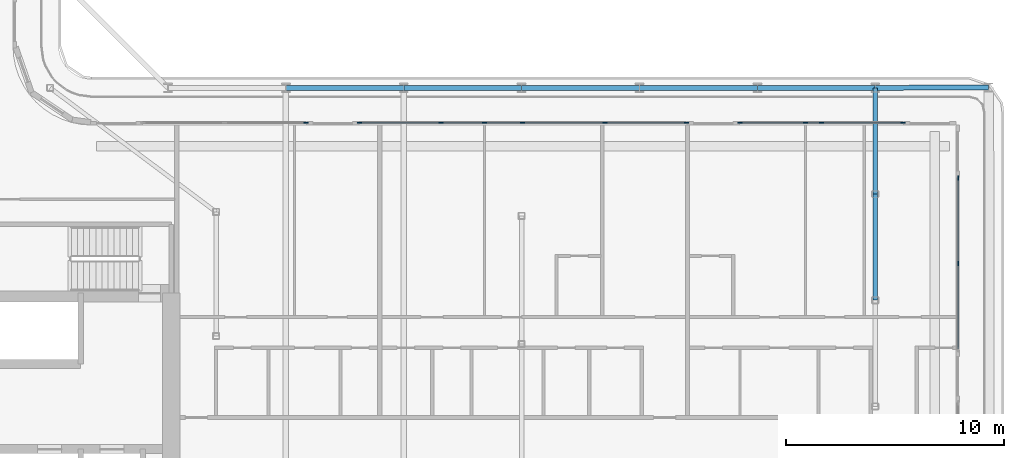
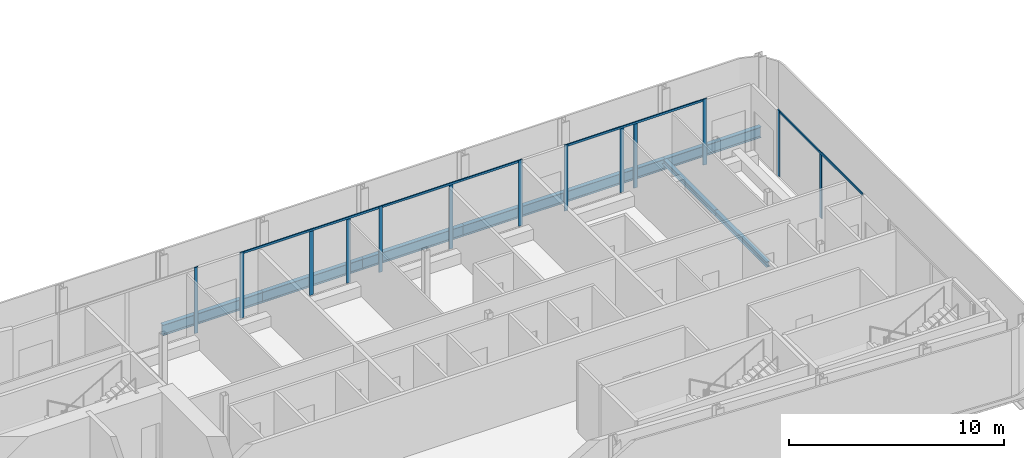
# One storey, part 6 of 26: 17 members, 8 beams, 5 elements without a shape of their own.
"""IFC4 building model written with IfcOpenShell, lengths in metres."""

from ifc_helpers import new_model, si_unit, direction, frame, origin, origin_2d, place, context, subcontext, project, spatial, rectangle, i_section, extrude, material, layer, layer_set, material_profile, profile_set, type_object, element, aggregate, save


model = new_model("IFC4")

# Units and contexts
model_context = context("Model", 3, precision=1e-05, world=origin(), true_north=direction((0.0, 1.0)))
body_context = subcontext(model_context, "Body", "Model", "MODEL_VIEW")
ifc_project = project(units=[si_unit("LENGTHUNIT", "METRE"), si_unit("AREAUNIT", "SQUARE_METRE"), si_unit("VOLUMEUNIT", "CUBIC_METRE"), si_unit("PLANEANGLEUNIT", "RADIAN"), si_unit("MASSUNIT", "GRAM", prefix="KILO")], contexts=[model_context])

# Site, building, storey
site_placement = place(None, origin())
site = spatial("IfcSite", under=ifc_project, at=site_placement, CompositionType="ELEMENT")
building_placement = place(site_placement, origin())
building = spatial("IfcBuilding", under=site, at=building_placement, Name="Kheshtan School and Residences Tower", CompositionType="ELEMENT")
storey_placement = place(building_placement, frame((0.0, 0.0, 156.5)))
storey = spatial("IfcBuildingStorey", under=building, at=storey_placement, Name="L36", CompositionType="ELEMENT", Elevation=156.5)

# Beams
ifc_material_1 = material(Name="Steel ASTM A992 Grade 50", Category="steel")
ifc_material_profile_1 = material_profile(ifc_material_1, i_section(OverallWidth=0.202880859375, OverallDepth=0.302978515625, WebThickness=0.007568359375, FlangeThickness=0.01318359375, FilletRadius=0.009033203125, at=origin_2d()), Name="W310x60")
ifc_profile_set_1 = profile_set([ifc_material_profile_1], Name="Steel ASTM A992 Grade 50")
beam_type_1 = type_object("IfcBeamType", Name="Beam FB1 W310x60 ASTM A992 Grade 50", PredefinedType="BEAM", material=ifc_profile_set_1)
for number, where, z_axis, x_axis, name in (
    (1, (85.39990234375, 45.60009765625, -0.301513671875), (0.0, -1.0, 0.0), (1.0, 0.0, 0.0), "Floor beam C067"),
    (2, (85.39990234375, 40.735107421875, -0.301513671875), (0.0, -1.0, 0.0), (1.0, 0.0, 0.0), "Floor beam IC"),
):
    element("IfcBeam", number, at=place(storey_placement, frame(where, z_axis=z_axis, x_axis=x_axis)), inside=storey, type_object=beam_type_1, Name=name, PredefinedType="BEAM", context=body_context, shape_type="SweptSolid", body=[
        extrude(i_section(OverallWidth=0.202880859375, OverallDepth=0.302978515625, WebThickness=0.007568359375, FlangeThickness=0.01318359375, FilletRadius=0.009033203125, at=origin_2d()), origin(), (0.0, 0.0, 1.0), 4.864990234375),
    ])
ifc_material_profile_2 = material_profile(ifc_material_1, i_section(OverallWidth=0.22802734375, OverallDepth=0.60302734375, WebThickness=0.010498046875, FlangeThickness=0.014892578125, FilletRadius=0.013427734375, at=origin_2d()), Name="W610x101")
ifc_profile_set_2 = profile_set([ifc_material_profile_2], Name="Steel ASTM A992 Grade 50")
beam_type_2 = type_object("IfcBeamType", Name="Beam SP2 W610x101 ASTM A992 Grade 50", PredefinedType="BEAM", material=ifc_profile_set_2)
beam_1_placement = place(storey_placement, frame((58.39990234375, 45.60009765625, -0.451416015625), z_axis=(1.0, 0.0, 0.0), x_axis=(0.0, 1.0, 0.0)))
element("IfcBeam", 3, at=beam_1_placement, inside=storey, type_object=beam_type_2, Name="Spandrel beam C062-C063", PredefinedType="BEAM", context=body_context, shape_type="SweptSolid", body=[
    extrude(i_section(OverallWidth=0.22802734375, OverallDepth=0.60302734375, WebThickness=0.010498046875, FlangeThickness=0.014892578125, FilletRadius=0.013427734375, at=origin_2d()), origin(), (0.0, 0.0, 1.0), 5.400146484375),
])
beam_2_placement = place(storey_placement, frame((63.800048828125, 45.60009765625, -0.451416015625), z_axis=(1.0, 0.0, 0.0), x_axis=(0.0, 1.0, 0.0)))
element("IfcBeam", 4, at=beam_2_placement, inside=storey, type_object=beam_type_2, Name="Spandrel beam C063-C064", PredefinedType="BEAM", context=body_context, shape_type="SweptSolid", body=[
    extrude(i_section(OverallWidth=0.22802734375, OverallDepth=0.60302734375, WebThickness=0.010498046875, FlangeThickness=0.014892578125, FilletRadius=0.013427734375, at=origin_2d()), origin(), (0.0, 0.0, 1.0), 5.39990234375),
])
beam_3_placement = place(storey_placement, frame((69.199951171875, 45.60009765625, -0.451416015625), z_axis=(1.0, 0.0, 0.0), x_axis=(0.0, 1.0, 0.0)))
element("IfcBeam", 5, at=beam_3_placement, inside=storey, type_object=beam_type_2, Name="Spandrel beam C064-C065", PredefinedType="BEAM", context=body_context, shape_type="SweptSolid", body=[
    extrude(i_section(OverallWidth=0.22802734375, OverallDepth=0.60302734375, WebThickness=0.010498046875, FlangeThickness=0.014892578125, FilletRadius=0.013427734375, at=origin_2d()), origin(), (0.0, 0.0, 1.0), 5.400146484375),
])
for number, where, z_axis, x_axis, name in (
    (6, (74.60009765625, 45.60009765625, -0.451416015625), (1.0, 0.0, 0.0), (0.0, 1.0, 0.0), "Spandrel beam C065-C066"),
    (7, (80.0, 45.60009765625, -0.451416015625), (1.0, 0.0, 0.0), (0.0, 1.0, 0.0), "Spandrel beam C066-C067"),
):
    element("IfcBeam", number, at=place(storey_placement, frame(where, z_axis=z_axis, x_axis=x_axis)), inside=storey, type_object=beam_type_2, Name=name, PredefinedType="BEAM", context=body_context, shape_type="SweptSolid", body=[
        extrude(i_section(OverallWidth=0.22802734375, OverallDepth=0.60302734375, WebThickness=0.010498046875, FlangeThickness=0.014892578125, FilletRadius=0.013427734375, at=origin_2d()), origin(), (0.0, 0.0, 1.0), 5.39990234375),
    ])
beam_4_placement = place(storey_placement, frame((85.39990234375, 45.60009765625, -0.451416015625), z_axis=(0.99999185222, 0.00403676771, 0.0), x_axis=(-0.00403676771, 0.99999185222, 0.0)))
element("IfcBeam", 8, at=beam_4_placement, inside=storey, type_object=beam_type_2, Name="Spandrel beam C067-C075", PredefinedType="BEAM", context=body_context, shape_type="SweptSolid", body=[
    extrude(i_section(OverallWidth=0.22802734375, OverallDepth=0.60302734375, WebThickness=0.010498046875, FlangeThickness=0.014892578125, FilletRadius=0.013427734375, at=origin_2d()), origin(), (0.0, 0.0, 1.0), 5.201171875),
])

# Curtain wall, member
ifc_material_2 = material(Name="Clear low-e glass in thermally broken aluminium frame", Category="aluminium")
ifc_layer = layer(ifc_material_2, 0.199951171875)
ifc_layer_set = layer_set([ifc_layer], Name="Curtain wall CW-L")
curtain_wall_type = type_object("IfcCurtainWallType", Name="Curtain wall CW-L", PredefinedType="NOTDEFINED", material=ifc_layer_set)
curtain_wall_1_placement = place(storey_placement, origin())
curtain_wall_1 = element("IfcCurtainWall", 9, at=curtain_wall_1_placement, inside=storey, type_object=curtain_wall_type, Name="Curtain wall CWL12a", PredefinedType="NOTDEFINED")
ifc_material_3 = material(Name="Thermally broken aluminium, dark bronze anodised", Category="aluminium")
ifc_material_profile_3 = material_profile(ifc_material_3, rectangle(XDim=0.06005859375, YDim=0.199951171875, at=origin_2d()), Name="CW-L mullion 60x200")
ifc_profile_set_3 = profile_set([ifc_material_profile_3], Name="Thermally broken aluminium, dark bronze anodised")
member_type_1 = type_object("IfcMemberType", Name="CW-L mullion 60x200", PredefinedType="MULLION", material=ifc_profile_set_3)
member_1_placement = place(storey_placement, frame((59.3173828125, 44.0, 0.0), z_axis=(0.0, 0.0, 1.0), x_axis=(0.0, 1.0, 0.0)))
member_1 = element("IfcMember", 10, at=member_1_placement, type_object=member_type_1, Name="CWL12a mullion 3", PredefinedType="MULLION", context=body_context, shape_type="SweptSolid", body=[
    extrude(rectangle(XDim=0.06005859375, YDim=0.199951171875, at=origin_2d()), origin(), (0.0, 0.0, 1.0), 3.75),
])
aggregate(curtain_wall_1, [member_1])

# Curtain wall, members
curtain_wall_2_placement = place(storey_placement, origin())
curtain_wall_2 = element("IfcCurtainWall", 11, at=curtain_wall_2_placement, inside=storey, type_object=curtain_wall_type, Name="Curtain wall CWL12", PredefinedType="NOTDEFINED")
member_2_placement = place(storey_placement, frame((61.777587890625, 44.0, 0.0), z_axis=(0.0, 0.0, 1.0), x_axis=(0.0, 1.0, 0.0)))
member_2 = element("IfcMember", 12, at=member_2_placement, type_object=member_type_1, Name="CWL12 mullion 1", PredefinedType="MULLION", context=body_context, shape_type="SweptSolid", body=[
    extrude(rectangle(XDim=0.06005859375, YDim=0.199951171875, at=origin_2d()), origin(), (0.0, 0.0, 1.0), 3.75),
])
member_3_placement = place(storey_placement, frame((65.50634765625, 44.0, 0.0), z_axis=(0.0, 0.0, 1.0), x_axis=(0.0, 1.0, 0.0)))
member_3 = element("IfcMember", 13, at=member_3_placement, type_object=member_type_1, Name="CWL12 mullion 2", PredefinedType="MULLION", context=body_context, shape_type="SweptSolid", body=[
    extrude(rectangle(XDim=0.06005859375, YDim=0.199951171875, at=origin_2d()), origin(), (0.0, 0.0, 1.0), 3.6298828125),
])
member_4_placement = place(storey_placement, frame((67.5, 44.0, 0.0), z_axis=(0.0, 0.0, 1.0), x_axis=(0.0, 1.0, 0.0)))
member_4 = element("IfcMember", 14, at=member_4_placement, type_object=member_type_1, Name="CWL12 mullion 3", PredefinedType="MULLION", context=body_context, shape_type="SweptSolid", body=[
    extrude(rectangle(XDim=0.06005859375, YDim=0.199951171875, at=origin_2d()), origin(), (0.0, 0.0, 1.0), 3.6298828125),
])
member_5_placement = place(storey_placement, frame((69.235107421875, 44.0, 0.0), z_axis=(0.0, 0.0, 1.0), x_axis=(0.0, 1.0, 0.0)))
member_5 = element("IfcMember", 15, at=member_5_placement, type_object=member_type_1, Name="CWL12 mullion 4", PredefinedType="MULLION", context=body_context, shape_type="SweptSolid", body=[
    extrude(rectangle(XDim=0.06005859375, YDim=0.199951171875, at=origin_2d()), origin(), (0.0, 0.0, 1.0), 3.75),
])

curtain_wall_3_placement = place(storey_placement, origin())
curtain_wall_3 = element("IfcCurtainWall", 16, at=curtain_wall_3_placement, inside=storey, type_object=curtain_wall_type, Name="Curtain wall CWL12a", PredefinedType="NOTDEFINED")
member_6_placement = place(storey_placement, frame((73.023681640625, 44.0, 0.0), z_axis=(0.0, 0.0, 1.0), x_axis=(0.0, 1.0, 0.0)))
member_6 = element("IfcMember", 17, at=member_6_placement, type_object=member_type_1, Name="CWL12a mullion 2", PredefinedType="MULLION", context=body_context, shape_type="SweptSolid", body=[
    extrude(rectangle(XDim=0.06005859375, YDim=0.199951171875, at=origin_2d()), origin(), (0.0, 0.0, 1.0), 3.6298828125),
])
member_7_placement = place(storey_placement, frame((76.75244140625, 44.0, 0.0), z_axis=(0.0, 0.0, 1.0), x_axis=(0.0, 1.0, 0.0)))
member_7 = element("IfcMember", 18, at=member_7_placement, type_object=member_type_1, Name="CWL12a mullion 3", PredefinedType="MULLION", context=body_context, shape_type="SweptSolid", body=[
    extrude(rectangle(XDim=0.06005859375, YDim=0.199951171875, at=origin_2d()), origin(), (0.0, 0.0, 1.0), 3.75),
])

curtain_wall_4_placement = place(storey_placement, origin())
curtain_wall_4 = element("IfcCurtainWall", 19, at=curtain_wall_4_placement, inside=storey, type_object=curtain_wall_type, Name="Curtain wall CWL12", PredefinedType="NOTDEFINED")
member_8_placement = place(storey_placement, frame((79.21240234375, 44.0, 0.0), z_axis=(0.0, 0.0, 1.0), x_axis=(0.0, 1.0, 0.0)))
member_8 = element("IfcMember", 20, at=member_8_placement, type_object=member_type_1, Name="CWL12 mullion 1", PredefinedType="MULLION", context=body_context, shape_type="SweptSolid", body=[
    extrude(rectangle(XDim=0.06005859375, YDim=0.199951171875, at=origin_2d()), origin(), (0.0, 0.0, 1.0), 3.75),
])
member_9_placement = place(storey_placement, frame((82.199951171875, 44.0, 0.0), z_axis=(0.0, 0.0, 1.0), x_axis=(0.0, 1.0, 0.0)))
member_9 = element("IfcMember", 21, at=member_9_placement, type_object=member_type_1, Name="CWL12 mullion 2", PredefinedType="MULLION", context=body_context, shape_type="SweptSolid", body=[
    extrude(rectangle(XDim=0.06005859375, YDim=0.199951171875, at=origin_2d()), origin(), (0.0, 0.0, 1.0), 3.6298828125),
])
member_10_placement = place(storey_placement, frame((82.941162109375, 44.0, 0.0), z_axis=(0.0, 0.0, 1.0), x_axis=(0.0, 1.0, 0.0)))
member_10 = element("IfcMember", 22, at=member_10_placement, type_object=member_type_1, Name="CWL12 mullion 3", PredefinedType="MULLION", context=body_context, shape_type="SweptSolid", body=[
    extrude(rectangle(XDim=0.06005859375, YDim=0.199951171875, at=origin_2d()), origin(), (0.0, 0.0, 1.0), 3.6298828125),
])
member_11_placement = place(storey_placement, frame((86.669921875, 44.0, 0.0), z_axis=(0.0, 0.0, 1.0), x_axis=(0.0, 1.0, 0.0)))
member_11 = element("IfcMember", 23, at=member_11_placement, type_object=member_type_1, Name="CWL12 mullion 4", PredefinedType="MULLION", context=body_context, shape_type="SweptSolid", body=[
    extrude(rectangle(XDim=0.06005859375, YDim=0.199951171875, at=origin_2d()), origin(), (0.0, 0.0, 1.0), 3.75),
])

curtain_wall_5_placement = place(storey_placement, origin())
curtain_wall_5 = element("IfcCurtainWall", 24, at=curtain_wall_5_placement, inside=storey, type_object=curtain_wall_type, Name="Curtain wall CWL13", PredefinedType="NOTDEFINED")
member_12_placement = place(storey_placement, frame((89.199951171875, 41.469970703125, 0.0), z_axis=(0.0, 0.0, 1.0), x_axis=(1.0, 0.0, 0.0)))
member_12 = element("IfcMember", 25, at=member_12_placement, type_object=member_type_1, Name="CWL13 mullion 1", PredefinedType="MULLION", context=body_context, shape_type="SweptSolid", body=[
    extrude(rectangle(XDim=0.06005859375, YDim=0.199951171875, at=origin_2d()), origin(), (0.0, 0.0, 1.0), 3.75),
])
member_13_placement = place(storey_placement, frame((89.199951171875, 37.545654296875, 0.0), z_axis=(0.0, 0.0, 1.0), x_axis=(1.0, 0.0, 0.0)))
member_13 = element("IfcMember", 26, at=member_13_placement, type_object=member_type_1, Name="CWL13 mullion 2", PredefinedType="MULLION", context=body_context, shape_type="SweptSolid", body=[
    extrude(rectangle(XDim=0.06005859375, YDim=0.199951171875, at=origin_2d()), origin(), (0.0, 0.0, 1.0), 3.6298828125),
])

# Member
ifc_material_profile_4 = material_profile(ifc_material_3, rectangle(XDim=0.06005859375, YDim=0.1201171875, at=origin_2d()), Name="CW-L transom 60x120")
ifc_profile_set_4 = profile_set([ifc_material_profile_4], Name="Thermally broken aluminium, dark bronze anodised")
member_type_2 = type_object("IfcMemberType", Name="CW-L transom 60x120", PredefinedType="USERDEFINED", material=ifc_profile_set_4)
member_14_placement = place(storey_placement, frame((61.8076171875, 44.0, 3.68994140625), z_axis=(1.0, 0.0, 0.0), x_axis=(0.0, 1.0, 0.0)))
member_14 = element("IfcMember", 27, at=member_14_placement, type_object=member_type_2, Name="CWL12 transom 1", ObjectType="TRANSOM", PredefinedType="USERDEFINED", context=body_context, shape_type="SweptSolid", body=[
    extrude(rectangle(XDim=0.06005859375, YDim=0.1201171875, at=origin_2d()), origin(), (0.0, 0.0, 1.0), 7.3974609375),
])

aggregate(curtain_wall_2, [member_2, member_3, member_4, member_5, member_14])

member_15_placement = place(storey_placement, frame((69.264892578125, 44.0, 3.68994140625), z_axis=(1.0, 0.0, 0.0), x_axis=(0.0, 1.0, 0.0)))
member_15 = element("IfcMember", 28, at=member_15_placement, type_object=member_type_2, Name="CWL12a transom 1", ObjectType="TRANSOM", PredefinedType="USERDEFINED", context=body_context, shape_type="SweptSolid", body=[
    extrude(rectangle(XDim=0.06005859375, YDim=0.1201171875, at=origin_2d()), origin(), (0.0, 0.0, 1.0), 7.45751953125),
])

aggregate(curtain_wall_3, [member_6, member_7, member_15])

member_16_placement = place(storey_placement, frame((79.242431640625, 44.0, 3.68994140625), z_axis=(1.0, 0.0, 0.0), x_axis=(0.0, 1.0, 0.0)))
member_16 = element("IfcMember", 29, at=member_16_placement, type_object=member_type_2, Name="CWL12 transom 1", ObjectType="TRANSOM", PredefinedType="USERDEFINED", context=body_context, shape_type="SweptSolid", body=[
    extrude(rectangle(XDim=0.06005859375, YDim=0.1201171875, at=origin_2d()), origin(), (0.0, 0.0, 1.0), 7.3974609375),
])

aggregate(curtain_wall_4, [member_8, member_9, member_10, member_11, member_16])

member_17_placement = place(storey_placement, frame((89.199951171875, 41.43994140625, 3.68994140625), z_axis=(0.0, -1.0, 0.0), x_axis=(1.0, 0.0, 0.0)))
member_17 = element("IfcMember", 30, at=member_17_placement, type_object=member_type_2, Name="CWL13 transom 1", ObjectType="TRANSOM", PredefinedType="USERDEFINED", context=body_context, shape_type="SweptSolid", body=[
    extrude(rectangle(XDim=0.06005859375, YDim=0.1201171875, at=origin_2d()), origin(), (0.0, 0.0, 1.0), 7.788330078125),
])

aggregate(curtain_wall_5, [member_12, member_13, member_17])

save(model, "model.ifc")
